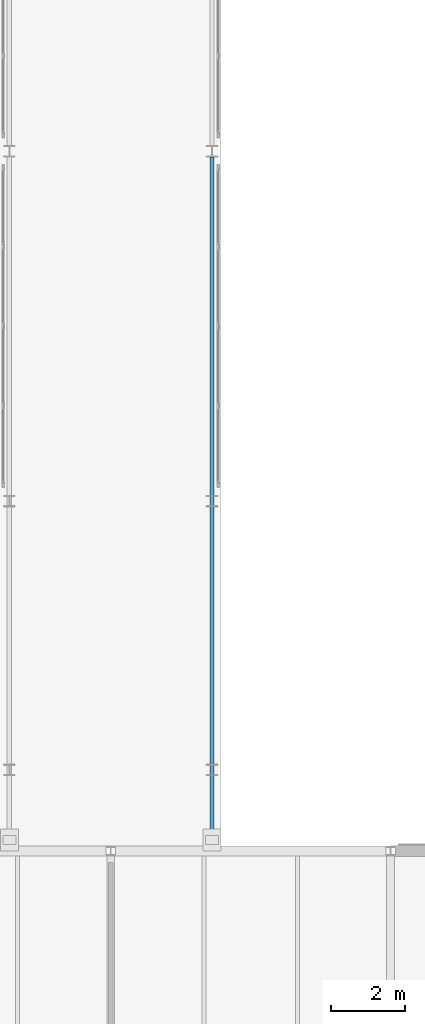
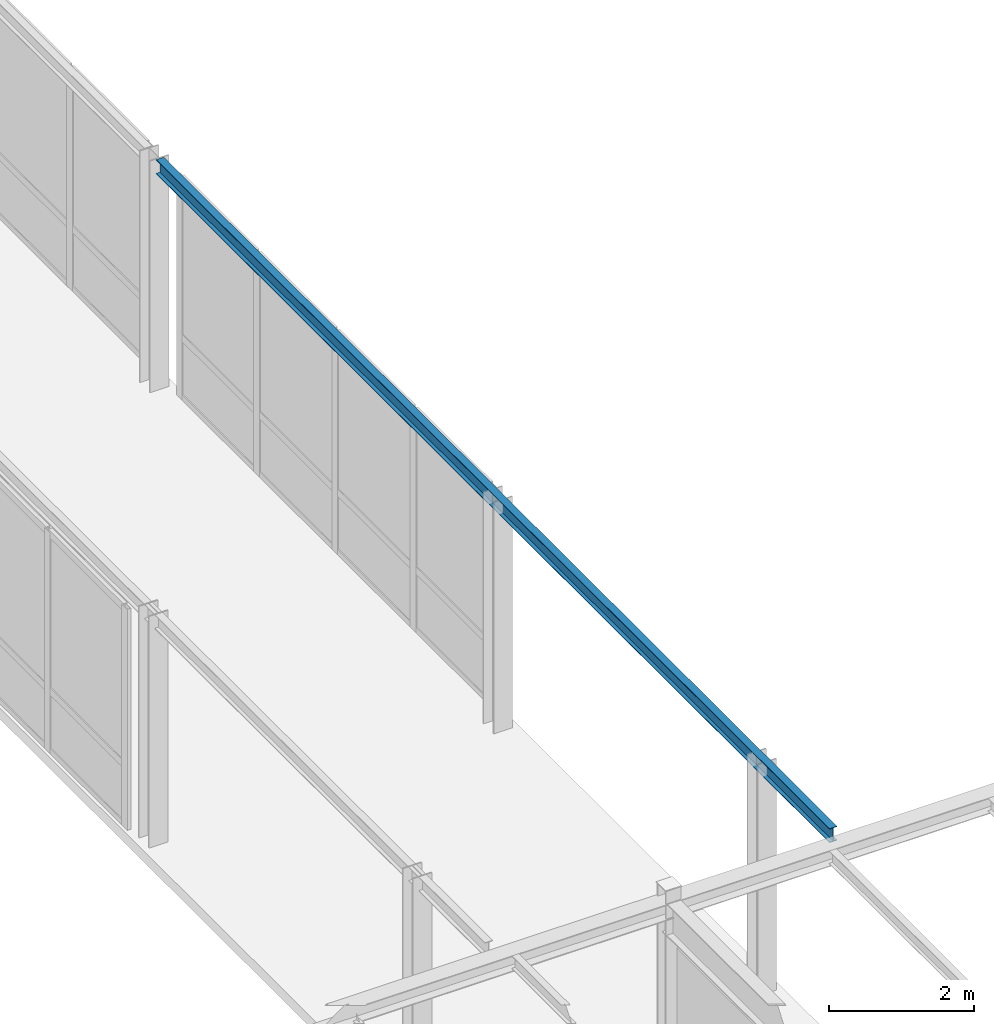
# One storey, part 40 of 189: 1 beam.
"""IFC4 building model written with IfcOpenShell, lengths in metres."""

from ifc_helpers import new_model, si_unit, direction, frame, origin, origin_2d, place, context, subcontext, project, spatial, i_section, extrude, material, material_profile, profile_set, type_object, element, save


model = new_model("IFC4")

# Units and contexts
model_context = context("Model", 3, precision=1e-05, world=origin(), true_north=direction((0.0, 1.0)))
body_context = subcontext(model_context, "Body", "Model", "MODEL_VIEW")
ifc_project = project(units=[si_unit("LENGTHUNIT", "METRE"), si_unit("AREAUNIT", "SQUARE_METRE"), si_unit("VOLUMEUNIT", "CUBIC_METRE"), si_unit("PLANEANGLEUNIT", "RADIAN"), si_unit("MASSUNIT", "GRAM", prefix="KILO")], contexts=[model_context])

# Site, building, storey
site_placement = place(None, origin())
site = spatial("IfcSite", under=ifc_project, at=site_placement, CompositionType="ELEMENT")
building_placement = place(site_placement, origin())
building = spatial("IfcBuilding", under=site, at=building_placement, Name="Montecoro Central Library", CompositionType="ELEMENT")
storey_placement = place(building_placement, frame((0.0, 0.0, 9.179931640625)))
storey = spatial("IfcBuildingStorey", under=building, at=storey_placement, Name="L02", CompositionType="ELEMENT", Elevation=9.179931640625)

# Beam
ifc_material = material(Name="Steel S355", Category="steel")
ifc_material_profile = material_profile(ifc_material, i_section(OverallWidth=0.1201171875, OverallDepth=0.239990234375, WebThickness=0.006103515625, FlangeThickness=0.009765625, at=origin_2d()), Name="IPE 240")
ifc_profile_set = profile_set([ifc_material_profile], Name="Steel S355")
beam_type = type_object("IfcBeamType", Name="BM-SP-IPE240", PredefinedType="SPANDREL", material=ifc_profile_set)
beam_placement = place(storey_placement, frame((30.550048828125, 35.6201171875, 3.7880859375), z_axis=(0.0, 1.0, 0.0), x_axis=(-1.0, 0.0, 0.0)))
element("IfcBeam", 1, at=beam_placement, inside=storey, type_object=beam_type, Name="BR-W-ROOF-BM-E1", PredefinedType="SPANDREL", context=body_context, shape_type="SweptSolid", body=[
    extrude(i_section(OverallWidth=0.1201171875, OverallDepth=0.239990234375, WebThickness=0.006103515625, FlangeThickness=0.009765625, at=origin_2d()), origin(), (0.0, 0.0, 1.0), 18.619873046875),
])

save(model, "model.ifc")
